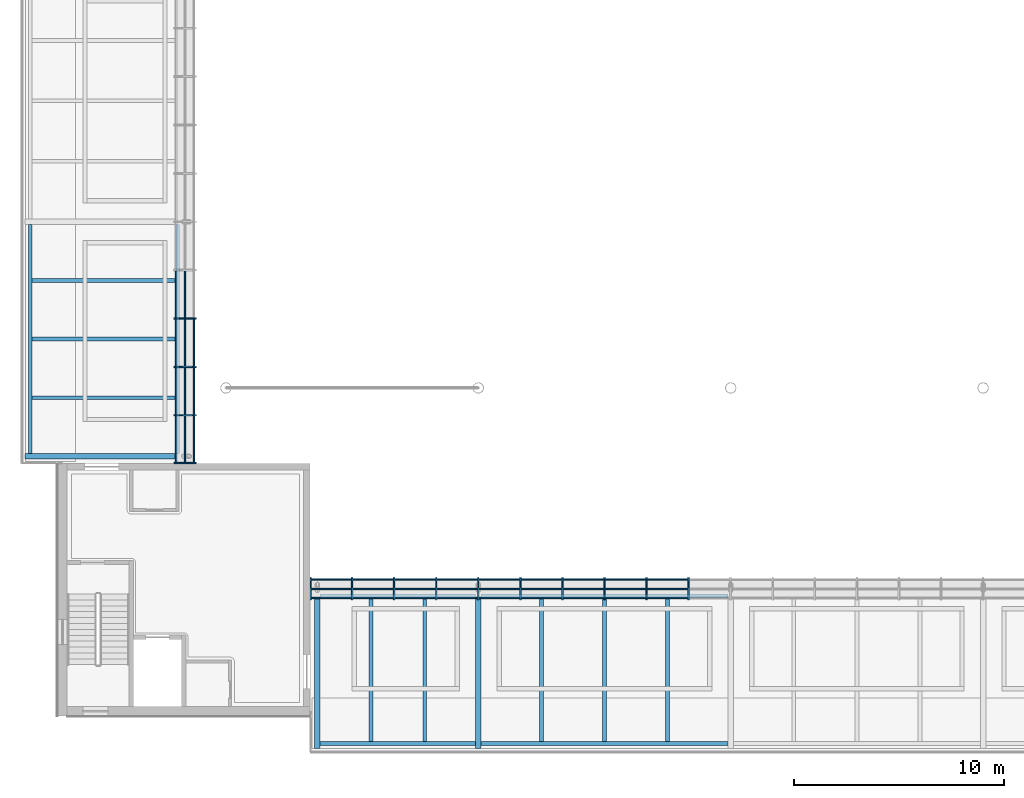
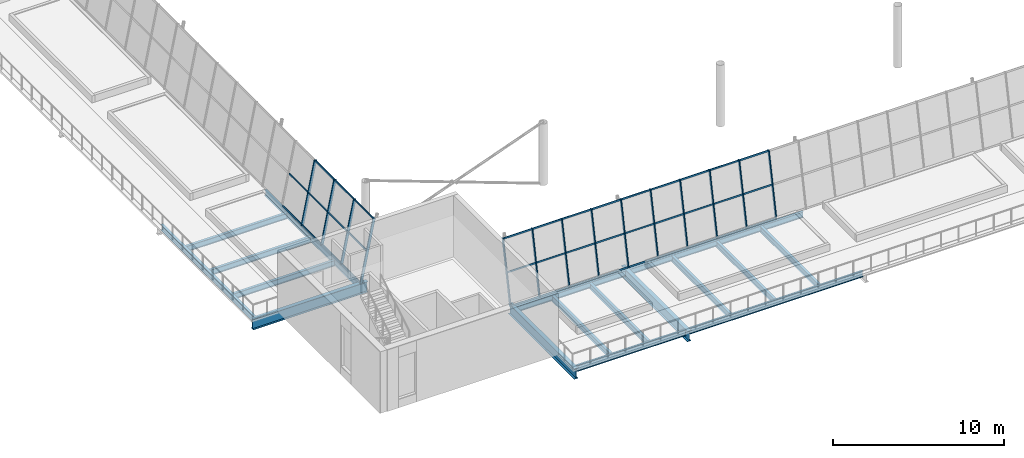
# One storey, part 10 of 58: 52 members, 17 beams, 2 elements without a shape of their own.
"""IFC4 building model written with IfcOpenShell, lengths in metres."""

from ifc_helpers import new_model, si_unit, direction, frame, origin, origin_2d, place, context, subcontext, project, spatial, rectangle, i_section, extrude, material, layer, layer_set, material_profile, profile_set, type_object, element, aggregate, save


model = new_model("IFC4")

# Units and contexts
model_context = context("Model", 3, precision=1e-05, world=origin(), true_north=direction((0.0, 1.0)))
body_context = subcontext(model_context, "Body", "Model", "MODEL_VIEW")
ifc_project = project(units=[si_unit("LENGTHUNIT", "METRE"), si_unit("AREAUNIT", "SQUARE_METRE"), si_unit("VOLUMEUNIT", "CUBIC_METRE"), si_unit("PLANEANGLEUNIT", "RADIAN"), si_unit("MASSUNIT", "GRAM", prefix="KILO")], contexts=[model_context])

# Site, building, storey
site_placement = place(None, origin())
site = spatial("IfcSite", under=ifc_project, at=site_placement, CompositionType="ELEMENT")
building_placement = place(site_placement, origin())
building = spatial("IfcBuilding", under=site, at=building_placement, Name="Windward Yard Aquatics Centre", CompositionType="ELEMENT")
storey_placement = place(building_placement, frame((0.0, 0.0, 13.800048828125)))
storey = spatial("IfcBuildingStorey", under=building, at=storey_placement, Name="L03", CompositionType="ELEMENT", Elevation=13.800048828125)

# Curtain wall, members
ifc_material_1 = material(Name="Glass and aluminium curtain wall", Category="aluminium")
ifc_layer = layer(ifc_material_1, 0.179931640625)
ifc_layer_set = layer_set([ifc_layer], Name="H curtain wall tier 2 double glazed 6+16+6")
curtain_wall_type = type_object("IfcCurtainWallType", Name="H curtain wall tier 2 double glazed 6+16+6", PredefinedType="NOTDEFINED", material=ifc_layer_set)
curtain_wall_1_placement = place(storey_placement, origin())
curtain_wall_1 = element("IfcCurtainWall", 1, at=curtain_wall_1_placement, inside=storey, type_object=curtain_wall_type, Name="Tier 2 glazing S L03", PredefinedType="NOTDEFINED")
ifc_material_2 = material(Name="Aluminium 6063-T6 anodised", Category="aluminium")
ifc_material_profile_1 = material_profile(ifc_material_2, rectangle(XDim=0.06494140625, YDim=0.179931640625, at=origin_2d()), Name="H CW mullion 65x180")
ifc_profile_set_1 = profile_set([ifc_material_profile_1], Name="Aluminium 6063-T6 anodised")
member_type_1 = type_object("IfcMemberType", Name="H CW mullion 65x180", PredefinedType="MULLION", material=ifc_profile_set_1)
member_1_placement = place(storey_placement, frame((64.032470703125, 31.61376953125, 0.017822265625), z_axis=(0.0, 0.199327811945, 0.979932866775), x_axis=(-1.0, 0.0, 0.0)))
member_1 = element("IfcMember", 2, at=member_1_placement, type_object=member_type_1, Name="G2SA mullion 1", PredefinedType="MULLION", context=body_context, shape_type="SweptSolid", body=[
    extrude(rectangle(XDim=0.06494140625, YDim=0.179931640625, at=origin_2d()), origin(), (0.0, 0.0, 1.0), 4.471923828125),
])
member_2_placement = place(storey_placement, frame((65.999755859375, 31.61376953125, 0.017822265625), z_axis=(0.0, 0.199327811945, 0.979932866775), x_axis=(-1.0, 0.0, 0.0)))
member_2 = element("IfcMember", 3, at=member_2_placement, type_object=member_type_1, Name="G2SA mullion 2", PredefinedType="MULLION", context=body_context, shape_type="SweptSolid", body=[
    extrude(rectangle(XDim=0.06494140625, YDim=0.179931640625, at=origin_2d()), origin(), (0.0, 0.0, 1.0), 4.471923828125),
])
member_3_placement = place(storey_placement, frame((67.99951171875, 31.61376953125, 0.017822265625), z_axis=(0.0, 0.199327811945, 0.979932866775), x_axis=(-1.0, 0.0, 0.0)))
member_3 = element("IfcMember", 4, at=member_3_placement, type_object=member_type_1, Name="G2SA mullion 3", PredefinedType="MULLION", context=body_context, shape_type="SweptSolid", body=[
    extrude(rectangle(XDim=0.06494140625, YDim=0.179931640625, at=origin_2d()), origin(), (0.0, 0.0, 1.0), 4.471923828125),
])
member_4_placement = place(storey_placement, frame((69.999267578125, 31.61376953125, 0.017822265625), z_axis=(0.0, 0.199327811945, 0.979932866775), x_axis=(-1.0, 0.0, 0.0)))
member_4 = element("IfcMember", 5, at=member_4_placement, type_object=member_type_1, Name="G2SA mullion 4", PredefinedType="MULLION", context=body_context, shape_type="SweptSolid", body=[
    extrude(rectangle(XDim=0.06494140625, YDim=0.179931640625, at=origin_2d()), origin(), (0.0, 0.0, 1.0), 4.471923828125),
])
member_5_placement = place(storey_placement, frame((71.9990234375, 31.61376953125, 0.017822265625), z_axis=(0.0, 0.199327811945, 0.979932866775), x_axis=(-1.0, 0.0, 0.0)))
member_5 = element("IfcMember", 6, at=member_5_placement, type_object=member_type_1, Name="G2SA mullion 5", PredefinedType="MULLION", context=body_context, shape_type="SweptSolid", body=[
    extrude(rectangle(XDim=0.06494140625, YDim=0.179931640625, at=origin_2d()), origin(), (0.0, 0.0, 1.0), 4.471923828125),
])
member_6_placement = place(storey_placement, frame((73.998779296875, 31.61376953125, 0.017822265625), z_axis=(0.0, 0.199327811945, 0.979932866775), x_axis=(-1.0, 0.0, 0.0)))
member_6 = element("IfcMember", 7, at=member_6_placement, type_object=member_type_1, Name="G2SA mullion 6", PredefinedType="MULLION", context=body_context, shape_type="SweptSolid", body=[
    extrude(rectangle(XDim=0.06494140625, YDim=0.179931640625, at=origin_2d()), origin(), (0.0, 0.0, 1.0), 4.471923828125),
])
member_7_placement = place(storey_placement, frame((75.99853515625, 31.61376953125, 0.017822265625), z_axis=(0.0, 0.199327811945, 0.979932866775), x_axis=(-1.0, 0.0, 0.0)))
member_7 = element("IfcMember", 8, at=member_7_placement, type_object=member_type_1, Name="G2SA mullion 7", PredefinedType="MULLION", context=body_context, shape_type="SweptSolid", body=[
    extrude(rectangle(XDim=0.06494140625, YDim=0.179931640625, at=origin_2d()), origin(), (0.0, 0.0, 1.0), 4.471923828125),
])
member_8_placement = place(storey_placement, frame((77.998046875, 31.61376953125, 0.017822265625), z_axis=(0.0, 0.199327811945, 0.979932866775), x_axis=(-1.0, 0.0, 0.0)))
member_8 = element("IfcMember", 9, at=member_8_placement, type_object=member_type_1, Name="G2SA mullion 8", PredefinedType="MULLION", context=body_context, shape_type="SweptSolid", body=[
    extrude(rectangle(XDim=0.06494140625, YDim=0.179931640625, at=origin_2d()), origin(), (0.0, 0.0, 1.0), 4.471923828125),
])
member_9_placement = place(storey_placement, frame((79.997802734375, 31.61376953125, 0.017822265625), z_axis=(0.0, 0.199327811945, 0.979932866775), x_axis=(-1.0, 0.0, 0.0)))
member_9 = element("IfcMember", 10, at=member_9_placement, type_object=member_type_1, Name="G2SA mullion 9", PredefinedType="MULLION", context=body_context, shape_type="SweptSolid", body=[
    extrude(rectangle(XDim=0.06494140625, YDim=0.179931640625, at=origin_2d()), origin(), (0.0, 0.0, 1.0), 4.471923828125),
])
member_10_placement = place(storey_placement, frame((81.99755859375, 31.61376953125, 0.017822265625), z_axis=(0.0, 0.199327811945, 0.979932866775), x_axis=(-1.0, 0.0, 0.0)))
member_10 = element("IfcMember", 11, at=member_10_placement, type_object=member_type_1, Name="G2SA mullion 10", PredefinedType="MULLION", context=body_context, shape_type="SweptSolid", body=[
    extrude(rectangle(XDim=0.06494140625, YDim=0.179931640625, at=origin_2d()), origin(), (0.0, 0.0, 1.0), 4.471923828125),
])

curtain_wall_2_placement = place(storey_placement, origin())
curtain_wall_2 = element("IfcCurtainWall", 12, at=curtain_wall_2_placement, inside=storey, type_object=curtain_wall_type, Name="Tier 2 glazing W L03", PredefinedType="NOTDEFINED")
member_11_placement = place(storey_placement, frame((57.61376953125, 38.032470703125, 0.017822265625), z_axis=(0.199327811945, 0.0, 0.979932866775), x_axis=(0.0, 1.0, 0.0)))
member_11 = element("IfcMember", 13, at=member_11_placement, type_object=member_type_1, Name="G2WA mullion 1", PredefinedType="MULLION", context=body_context, shape_type="SweptSolid", body=[
    extrude(rectangle(XDim=0.06494140625, YDim=0.179931640625, at=origin_2d()), origin(), (0.0, 0.0, 1.0), 4.471923828125),
])
member_12_placement = place(storey_placement, frame((57.61376953125, 40.300048828125, 0.017822265625), z_axis=(0.199327811945, 0.0, 0.979932866775), x_axis=(0.0, 1.0, 0.0)))
member_12 = element("IfcMember", 14, at=member_12_placement, type_object=member_type_1, Name="G2WA mullion 2", PredefinedType="MULLION", context=body_context, shape_type="SweptSolid", body=[
    extrude(rectangle(XDim=0.06494140625, YDim=0.179931640625, at=origin_2d()), origin(), (0.0, 0.0, 1.0), 4.471923828125),
])
member_13_placement = place(storey_placement, frame((57.61376953125, 42.60009765625, 0.017822265625), z_axis=(0.199327811945, 0.0, 0.979932866775), x_axis=(0.0, 1.0, 0.0)))
member_13 = element("IfcMember", 15, at=member_13_placement, type_object=member_type_1, Name="G2WA mullion 3", PredefinedType="MULLION", context=body_context, shape_type="SweptSolid", body=[
    extrude(rectangle(XDim=0.06494140625, YDim=0.179931640625, at=origin_2d()), origin(), (0.0, 0.0, 1.0), 4.471923828125),
])
member_14_placement = place(storey_placement, frame((57.61376953125, 44.89990234375, 0.017822265625), z_axis=(0.199327811945, 0.0, 0.979932866775), x_axis=(0.0, 1.0, 0.0)))
member_14 = element("IfcMember", 16, at=member_14_placement, type_object=member_type_1, Name="G2WA mullion 4", PredefinedType="MULLION", context=body_context, shape_type="SweptSolid", body=[
    extrude(rectangle(XDim=0.06494140625, YDim=0.179931640625, at=origin_2d()), origin(), (0.0, 0.0, 1.0), 4.471923828125),
])

# Member
ifc_material_profile_2 = material_profile(ifc_material_2, rectangle(XDim=0.06494140625, YDim=0.10009765625, at=origin_2d()), Name="H CW transom 65x100")
ifc_profile_set_2 = profile_set([ifc_material_profile_2], Name="Aluminium 6063-T6 anodised")
member_type_2 = type_object("IfcMemberType", Name="H CW transom 65x100", PredefinedType="USERDEFINED", material=ifc_profile_set_2)
member_15_placement = place(storey_placement, frame((64.06494140625, 31.621337890625, 0.055419921875), z_axis=(1.0, 0.0, 0.0), x_axis=(0.0, -0.979924704642, 0.199367934315)))
member_15 = element("IfcMember", 17, at=member_15_placement, type_object=member_type_2, Name="G2SA transom 1.1", ObjectType="TRANSOM", PredefinedType="USERDEFINED", context=body_context, shape_type="SweptSolid", body=[
    extrude(rectangle(XDim=0.06494140625, YDim=0.10009765625, at=origin_2d()), origin(), (0.0, 0.0, 1.0), 1.90234375),
])

member_16_placement = place(storey_placement, frame((64.06494140625, 32.0576171875, 2.199951171875), z_axis=(1.0, 0.0, 0.0), x_axis=(0.0, -0.979924704642, 0.199367934315)))
member_16 = element("IfcMember", 18, at=member_16_placement, type_object=member_type_2, Name="G2SA transom 1.2", ObjectType="TRANSOM", PredefinedType="USERDEFINED", context=body_context, shape_type="SweptSolid", body=[
    extrude(rectangle(XDim=0.06494140625, YDim=0.10009765625, at=origin_2d()), origin(), (0.0, 0.0, 1.0), 1.90234375),
])

member_17_placement = place(storey_placement, frame((64.06494140625, 32.4951171875, 4.35107421875), z_axis=(1.0, 0.0, 0.0), x_axis=(0.0, -0.979924704642, 0.199367934315)))
member_17 = element("IfcMember", 19, at=member_17_placement, type_object=member_type_2, Name="G2SA transom 1.3", ObjectType="TRANSOM", PredefinedType="USERDEFINED", context=body_context, shape_type="SweptSolid", body=[
    extrude(rectangle(XDim=0.06494140625, YDim=0.10009765625, at=origin_2d()), origin(), (0.0, 0.0, 1.0), 1.90234375),
])

member_18_placement = place(storey_placement, frame((66.0322265625, 31.621337890625, 0.055419921875), z_axis=(1.0, 0.0, 0.0), x_axis=(0.0, -0.979924704642, 0.199367934315)))
member_18 = element("IfcMember", 20, at=member_18_placement, type_object=member_type_2, Name="G2SA transom 2.1", ObjectType="TRANSOM", PredefinedType="USERDEFINED", context=body_context, shape_type="SweptSolid", body=[
    extrude(rectangle(XDim=0.06494140625, YDim=0.10009765625, at=origin_2d()), origin(), (0.0, 0.0, 1.0), 1.934814453125),
])

member_19_placement = place(storey_placement, frame((66.0322265625, 32.0576171875, 2.199951171875), z_axis=(1.0, 0.0, 0.0), x_axis=(0.0, -0.979924704642, 0.199367934315)))
member_19 = element("IfcMember", 21, at=member_19_placement, type_object=member_type_2, Name="G2SA transom 2.2", ObjectType="TRANSOM", PredefinedType="USERDEFINED", context=body_context, shape_type="SweptSolid", body=[
    extrude(rectangle(XDim=0.06494140625, YDim=0.10009765625, at=origin_2d()), origin(), (0.0, 0.0, 1.0), 1.934814453125),
])

member_20_placement = place(storey_placement, frame((66.0322265625, 32.4951171875, 4.35107421875), z_axis=(1.0, 0.0, 0.0), x_axis=(0.0, -0.979924704642, 0.199367934315)))
member_20 = element("IfcMember", 22, at=member_20_placement, type_object=member_type_2, Name="G2SA transom 2.3", ObjectType="TRANSOM", PredefinedType="USERDEFINED", context=body_context, shape_type="SweptSolid", body=[
    extrude(rectangle(XDim=0.06494140625, YDim=0.10009765625, at=origin_2d()), origin(), (0.0, 0.0, 1.0), 1.934814453125),
])

member_21_placement = place(storey_placement, frame((68.031982421875, 31.621337890625, 0.055419921875), z_axis=(1.0, 0.0, 0.0), x_axis=(0.0, -0.979924704642, 0.199367934315)))
member_21 = element("IfcMember", 23, at=member_21_placement, type_object=member_type_2, Name="G2SA transom 3.1", ObjectType="TRANSOM", PredefinedType="USERDEFINED", context=body_context, shape_type="SweptSolid", body=[
    extrude(rectangle(XDim=0.06494140625, YDim=0.10009765625, at=origin_2d()), origin(), (0.0, 0.0, 1.0), 1.934814453125),
])

member_22_placement = place(storey_placement, frame((68.031982421875, 32.0576171875, 2.199951171875), z_axis=(1.0, 0.0, 0.0), x_axis=(0.0, -0.979924704642, 0.199367934315)))
member_22 = element("IfcMember", 24, at=member_22_placement, type_object=member_type_2, Name="G2SA transom 3.2", ObjectType="TRANSOM", PredefinedType="USERDEFINED", context=body_context, shape_type="SweptSolid", body=[
    extrude(rectangle(XDim=0.06494140625, YDim=0.10009765625, at=origin_2d()), origin(), (0.0, 0.0, 1.0), 1.934814453125),
])

member_23_placement = place(storey_placement, frame((68.031982421875, 32.4951171875, 4.35107421875), z_axis=(1.0, 0.0, 0.0), x_axis=(0.0, -0.979924704642, 0.199367934315)))
member_23 = element("IfcMember", 25, at=member_23_placement, type_object=member_type_2, Name="G2SA transom 3.3", ObjectType="TRANSOM", PredefinedType="USERDEFINED", context=body_context, shape_type="SweptSolid", body=[
    extrude(rectangle(XDim=0.06494140625, YDim=0.10009765625, at=origin_2d()), origin(), (0.0, 0.0, 1.0), 1.934814453125),
])

member_24_placement = place(storey_placement, frame((70.03173828125, 31.621337890625, 0.055419921875), z_axis=(1.0, 0.0, 0.0), x_axis=(0.0, -0.979924704642, 0.199367934315)))
member_24 = element("IfcMember", 26, at=member_24_placement, type_object=member_type_2, Name="G2SA transom 4.1", ObjectType="TRANSOM", PredefinedType="USERDEFINED", context=body_context, shape_type="SweptSolid", body=[
    extrude(rectangle(XDim=0.06494140625, YDim=0.10009765625, at=origin_2d()), origin(), (0.0, 0.0, 1.0), 1.934814453125),
])

member_25_placement = place(storey_placement, frame((70.03173828125, 32.0576171875, 2.199951171875), z_axis=(1.0, 0.0, 0.0), x_axis=(0.0, -0.979924704642, 0.199367934315)))
member_25 = element("IfcMember", 27, at=member_25_placement, type_object=member_type_2, Name="G2SA transom 4.2", ObjectType="TRANSOM", PredefinedType="USERDEFINED", context=body_context, shape_type="SweptSolid", body=[
    extrude(rectangle(XDim=0.06494140625, YDim=0.10009765625, at=origin_2d()), origin(), (0.0, 0.0, 1.0), 1.934814453125),
])

member_26_placement = place(storey_placement, frame((70.03173828125, 32.4951171875, 4.35107421875), z_axis=(1.0, 0.0, 0.0), x_axis=(0.0, -0.979924704642, 0.199367934315)))
member_26 = element("IfcMember", 28, at=member_26_placement, type_object=member_type_2, Name="G2SA transom 4.3", ObjectType="TRANSOM", PredefinedType="USERDEFINED", context=body_context, shape_type="SweptSolid", body=[
    extrude(rectangle(XDim=0.06494140625, YDim=0.10009765625, at=origin_2d()), origin(), (0.0, 0.0, 1.0), 1.934814453125),
])

member_27_placement = place(storey_placement, frame((72.031494140625, 31.621337890625, 0.055419921875), z_axis=(1.0, 0.0, 0.0), x_axis=(0.0, -0.979924704642, 0.199367934315)))
member_27 = element("IfcMember", 29, at=member_27_placement, type_object=member_type_2, Name="G2SA transom 5.1", ObjectType="TRANSOM", PredefinedType="USERDEFINED", context=body_context, shape_type="SweptSolid", body=[
    extrude(rectangle(XDim=0.06494140625, YDim=0.10009765625, at=origin_2d()), origin(), (0.0, 0.0, 1.0), 1.9345703125),
])

member_28_placement = place(storey_placement, frame((72.031494140625, 32.0576171875, 2.199951171875), z_axis=(1.0, 0.0, 0.0), x_axis=(0.0, -0.979924704642, 0.199367934315)))
member_28 = element("IfcMember", 30, at=member_28_placement, type_object=member_type_2, Name="G2SA transom 5.2", ObjectType="TRANSOM", PredefinedType="USERDEFINED", context=body_context, shape_type="SweptSolid", body=[
    extrude(rectangle(XDim=0.06494140625, YDim=0.10009765625, at=origin_2d()), origin(), (0.0, 0.0, 1.0), 1.9345703125),
])

member_29_placement = place(storey_placement, frame((72.031494140625, 32.4951171875, 4.35107421875), z_axis=(1.0, 0.0, 0.0), x_axis=(0.0, -0.979924704642, 0.199367934315)))
member_29 = element("IfcMember", 31, at=member_29_placement, type_object=member_type_2, Name="G2SA transom 5.3", ObjectType="TRANSOM", PredefinedType="USERDEFINED", context=body_context, shape_type="SweptSolid", body=[
    extrude(rectangle(XDim=0.06494140625, YDim=0.10009765625, at=origin_2d()), origin(), (0.0, 0.0, 1.0), 1.9345703125),
])

member_30_placement = place(storey_placement, frame((74.03125, 31.621337890625, 0.055419921875), z_axis=(1.0, 0.0, 0.0), x_axis=(0.0, -0.979924704642, 0.199367934315)))
member_30 = element("IfcMember", 32, at=member_30_placement, type_object=member_type_2, Name="G2SA transom 6.1", ObjectType="TRANSOM", PredefinedType="USERDEFINED", context=body_context, shape_type="SweptSolid", body=[
    extrude(rectangle(XDim=0.06494140625, YDim=0.10009765625, at=origin_2d()), origin(), (0.0, 0.0, 1.0), 1.9345703125),
])

member_31_placement = place(storey_placement, frame((74.03125, 32.0576171875, 2.199951171875), z_axis=(1.0, 0.0, 0.0), x_axis=(0.0, -0.979924704642, 0.199367934315)))
member_31 = element("IfcMember", 33, at=member_31_placement, type_object=member_type_2, Name="G2SA transom 6.2", ObjectType="TRANSOM", PredefinedType="USERDEFINED", context=body_context, shape_type="SweptSolid", body=[
    extrude(rectangle(XDim=0.06494140625, YDim=0.10009765625, at=origin_2d()), origin(), (0.0, 0.0, 1.0), 1.9345703125),
])

member_32_placement = place(storey_placement, frame((74.03125, 32.4951171875, 4.35107421875), z_axis=(1.0, 0.0, 0.0), x_axis=(0.0, -0.979924704642, 0.199367934315)))
member_32 = element("IfcMember", 34, at=member_32_placement, type_object=member_type_2, Name="G2SA transom 6.3", ObjectType="TRANSOM", PredefinedType="USERDEFINED", context=body_context, shape_type="SweptSolid", body=[
    extrude(rectangle(XDim=0.06494140625, YDim=0.10009765625, at=origin_2d()), origin(), (0.0, 0.0, 1.0), 1.9345703125),
])

member_33_placement = place(storey_placement, frame((76.031005859375, 31.621337890625, 0.055419921875), z_axis=(1.0, 0.0, 0.0), x_axis=(0.0, -0.979924704642, 0.199367934315)))
member_33 = element("IfcMember", 35, at=member_33_placement, type_object=member_type_2, Name="G2SA transom 7.1", ObjectType="TRANSOM", PredefinedType="USERDEFINED", context=body_context, shape_type="SweptSolid", body=[
    extrude(rectangle(XDim=0.06494140625, YDim=0.10009765625, at=origin_2d()), origin(), (0.0, 0.0, 1.0), 1.9345703125),
])

member_34_placement = place(storey_placement, frame((76.031005859375, 32.0576171875, 2.199951171875), z_axis=(1.0, 0.0, 0.0), x_axis=(0.0, -0.979924704642, 0.199367934315)))
member_34 = element("IfcMember", 36, at=member_34_placement, type_object=member_type_2, Name="G2SA transom 7.2", ObjectType="TRANSOM", PredefinedType="USERDEFINED", context=body_context, shape_type="SweptSolid", body=[
    extrude(rectangle(XDim=0.06494140625, YDim=0.10009765625, at=origin_2d()), origin(), (0.0, 0.0, 1.0), 1.9345703125),
])

member_35_placement = place(storey_placement, frame((76.031005859375, 32.4951171875, 4.35107421875), z_axis=(1.0, 0.0, 0.0), x_axis=(0.0, -0.979924704642, 0.199367934315)))
member_35 = element("IfcMember", 37, at=member_35_placement, type_object=member_type_2, Name="G2SA transom 7.3", ObjectType="TRANSOM", PredefinedType="USERDEFINED", context=body_context, shape_type="SweptSolid", body=[
    extrude(rectangle(XDim=0.06494140625, YDim=0.10009765625, at=origin_2d()), origin(), (0.0, 0.0, 1.0), 1.9345703125),
])

member_36_placement = place(storey_placement, frame((78.03076171875, 31.621337890625, 0.055419921875), z_axis=(1.0, 0.0, 0.0), x_axis=(0.0, -0.979924704642, 0.199367934315)))
member_36 = element("IfcMember", 38, at=member_36_placement, type_object=member_type_2, Name="G2SA transom 8.1", ObjectType="TRANSOM", PredefinedType="USERDEFINED", context=body_context, shape_type="SweptSolid", body=[
    extrude(rectangle(XDim=0.06494140625, YDim=0.10009765625, at=origin_2d()), origin(), (0.0, 0.0, 1.0), 1.9345703125),
])

member_37_placement = place(storey_placement, frame((78.03076171875, 32.0576171875, 2.199951171875), z_axis=(1.0, 0.0, 0.0), x_axis=(0.0, -0.979924704642, 0.199367934315)))
member_37 = element("IfcMember", 39, at=member_37_placement, type_object=member_type_2, Name="G2SA transom 8.2", ObjectType="TRANSOM", PredefinedType="USERDEFINED", context=body_context, shape_type="SweptSolid", body=[
    extrude(rectangle(XDim=0.06494140625, YDim=0.10009765625, at=origin_2d()), origin(), (0.0, 0.0, 1.0), 1.9345703125),
])

member_38_placement = place(storey_placement, frame((78.03076171875, 32.4951171875, 4.35107421875), z_axis=(1.0, 0.0, 0.0), x_axis=(0.0, -0.979924704642, 0.199367934315)))
member_38 = element("IfcMember", 40, at=member_38_placement, type_object=member_type_2, Name="G2SA transom 8.3", ObjectType="TRANSOM", PredefinedType="USERDEFINED", context=body_context, shape_type="SweptSolid", body=[
    extrude(rectangle(XDim=0.06494140625, YDim=0.10009765625, at=origin_2d()), origin(), (0.0, 0.0, 1.0), 1.9345703125),
])

member_39_placement = place(storey_placement, frame((80.0302734375, 31.621337890625, 0.055419921875), z_axis=(1.0, 0.0, 0.0), x_axis=(0.0, -0.979924704642, 0.199367934315)))
member_39 = element("IfcMember", 41, at=member_39_placement, type_object=member_type_2, Name="G2SA transom 9.1", ObjectType="TRANSOM", PredefinedType="USERDEFINED", context=body_context, shape_type="SweptSolid", body=[
    extrude(rectangle(XDim=0.06494140625, YDim=0.10009765625, at=origin_2d()), origin(), (0.0, 0.0, 1.0), 1.934814453125),
])

member_40_placement = place(storey_placement, frame((80.0302734375, 32.0576171875, 2.199951171875), z_axis=(1.0, 0.0, 0.0), x_axis=(0.0, -0.979924704642, 0.199367934315)))
member_40 = element("IfcMember", 42, at=member_40_placement, type_object=member_type_2, Name="G2SA transom 9.2", ObjectType="TRANSOM", PredefinedType="USERDEFINED", context=body_context, shape_type="SweptSolid", body=[
    extrude(rectangle(XDim=0.06494140625, YDim=0.10009765625, at=origin_2d()), origin(), (0.0, 0.0, 1.0), 1.934814453125),
])

member_41_placement = place(storey_placement, frame((80.0302734375, 32.4951171875, 4.35107421875), z_axis=(1.0, 0.0, 0.0), x_axis=(0.0, -0.979924704642, 0.199367934315)))
member_41 = element("IfcMember", 43, at=member_41_placement, type_object=member_type_2, Name="G2SA transom 9.3", ObjectType="TRANSOM", PredefinedType="USERDEFINED", context=body_context, shape_type="SweptSolid", body=[
    extrude(rectangle(XDim=0.06494140625, YDim=0.10009765625, at=origin_2d()), origin(), (0.0, 0.0, 1.0), 1.934814453125),
])

aggregate(curtain_wall_1, [member_1, member_2, member_3, member_4, member_5, member_6, member_7, member_8, member_9, member_10, member_15, member_16, member_17, member_18, member_19, member_20, member_21, member_22, member_23, member_24, member_25, member_26, member_27, member_28, member_29, member_30, member_31, member_32, member_33, member_34, member_35, member_36, member_37, member_38, member_39, member_40, member_41])

member_42_placement = place(storey_placement, frame((57.621337890625, 38.06494140625, 0.055419921875), z_axis=(0.0, 1.0, 0.0), x_axis=(-0.979924704642, 0.0, 0.199367934315)))
member_42 = element("IfcMember", 44, at=member_42_placement, type_object=member_type_2, Name="G2WA transom 1.1", ObjectType="TRANSOM", PredefinedType="USERDEFINED", context=body_context, shape_type="SweptSolid", body=[
    extrude(rectangle(XDim=0.06494140625, YDim=0.10009765625, at=origin_2d()), origin(), (0.0, 0.0, 1.0), 2.20263671875),
])

member_43_placement = place(storey_placement, frame((58.0576171875, 38.06494140625, 2.199951171875), z_axis=(0.0, 1.0, 0.0), x_axis=(-0.979924704642, 0.0, 0.199367934315)))
member_43 = element("IfcMember", 45, at=member_43_placement, type_object=member_type_2, Name="G2WA transom 1.2", ObjectType="TRANSOM", PredefinedType="USERDEFINED", context=body_context, shape_type="SweptSolid", body=[
    extrude(rectangle(XDim=0.06494140625, YDim=0.10009765625, at=origin_2d()), origin(), (0.0, 0.0, 1.0), 2.20263671875),
])

member_44_placement = place(storey_placement, frame((58.4951171875, 38.06494140625, 4.35107421875), z_axis=(0.0, 1.0, 0.0), x_axis=(-0.979924704642, 0.0, 0.199367934315)))
member_44 = element("IfcMember", 46, at=member_44_placement, type_object=member_type_2, Name="G2WA transom 1.3", ObjectType="TRANSOM", PredefinedType="USERDEFINED", context=body_context, shape_type="SweptSolid", body=[
    extrude(rectangle(XDim=0.06494140625, YDim=0.10009765625, at=origin_2d()), origin(), (0.0, 0.0, 1.0), 2.20263671875),
])

member_45_placement = place(storey_placement, frame((57.621337890625, 40.33251953125, 0.055419921875), z_axis=(0.0, 1.0, 0.0), x_axis=(-0.979924704642, 0.0, 0.199367934315)))
member_45 = element("IfcMember", 47, at=member_45_placement, type_object=member_type_2, Name="G2WA transom 2.1", ObjectType="TRANSOM", PredefinedType="USERDEFINED", context=body_context, shape_type="SweptSolid", body=[
    extrude(rectangle(XDim=0.06494140625, YDim=0.10009765625, at=origin_2d()), origin(), (0.0, 0.0, 1.0), 2.23486328125),
])

member_46_placement = place(storey_placement, frame((58.0576171875, 40.33251953125, 2.199951171875), z_axis=(0.0, 1.0, 0.0), x_axis=(-0.979924704642, 0.0, 0.199367934315)))
member_46 = element("IfcMember", 48, at=member_46_placement, type_object=member_type_2, Name="G2WA transom 2.2", ObjectType="TRANSOM", PredefinedType="USERDEFINED", context=body_context, shape_type="SweptSolid", body=[
    extrude(rectangle(XDim=0.06494140625, YDim=0.10009765625, at=origin_2d()), origin(), (0.0, 0.0, 1.0), 2.23486328125),
])

member_47_placement = place(storey_placement, frame((58.4951171875, 40.33251953125, 4.35107421875), z_axis=(0.0, 1.0, 0.0), x_axis=(-0.979924704642, 0.0, 0.199367934315)))
member_47 = element("IfcMember", 49, at=member_47_placement, type_object=member_type_2, Name="G2WA transom 2.3", ObjectType="TRANSOM", PredefinedType="USERDEFINED", context=body_context, shape_type="SweptSolid", body=[
    extrude(rectangle(XDim=0.06494140625, YDim=0.10009765625, at=origin_2d()), origin(), (0.0, 0.0, 1.0), 2.23486328125),
])

member_48_placement = place(storey_placement, frame((57.621337890625, 42.632568359375, 0.055419921875), z_axis=(0.0, 1.0, 0.0), x_axis=(-0.979924704642, 0.0, 0.199367934315)))
member_48 = element("IfcMember", 50, at=member_48_placement, type_object=member_type_2, Name="G2WA transom 3.1", ObjectType="TRANSOM", PredefinedType="USERDEFINED", context=body_context, shape_type="SweptSolid", body=[
    extrude(rectangle(XDim=0.06494140625, YDim=0.10009765625, at=origin_2d()), origin(), (0.0, 0.0, 1.0), 2.23486328125),
])

member_49_placement = place(storey_placement, frame((58.0576171875, 42.632568359375, 2.199951171875), z_axis=(0.0, 1.0, 0.0), x_axis=(-0.979924704642, 0.0, 0.199367934315)))
member_49 = element("IfcMember", 51, at=member_49_placement, type_object=member_type_2, Name="G2WA transom 3.2", ObjectType="TRANSOM", PredefinedType="USERDEFINED", context=body_context, shape_type="SweptSolid", body=[
    extrude(rectangle(XDim=0.06494140625, YDim=0.10009765625, at=origin_2d()), origin(), (0.0, 0.0, 1.0), 2.23486328125),
])

member_50_placement = place(storey_placement, frame((58.4951171875, 42.632568359375, 4.35107421875), z_axis=(0.0, 1.0, 0.0), x_axis=(-0.979924704642, 0.0, 0.199367934315)))
member_50 = element("IfcMember", 52, at=member_50_placement, type_object=member_type_2, Name="G2WA transom 3.3", ObjectType="TRANSOM", PredefinedType="USERDEFINED", context=body_context, shape_type="SweptSolid", body=[
    extrude(rectangle(XDim=0.06494140625, YDim=0.10009765625, at=origin_2d()), origin(), (0.0, 0.0, 1.0), 2.23486328125),
])

member_51_placement = place(storey_placement, frame((57.621337890625, 44.9326171875, 0.055419921875), z_axis=(0.0, 1.0, 0.0), x_axis=(-0.979924704642, 0.0, 0.199367934315)))
member_51 = element("IfcMember", 53, at=member_51_placement, type_object=member_type_2, Name="G2WA transom 4.1", ObjectType="TRANSOM", PredefinedType="USERDEFINED", context=body_context, shape_type="SweptSolid", body=[
    extrude(rectangle(XDim=0.06494140625, YDim=0.10009765625, at=origin_2d()), origin(), (0.0, 0.0, 1.0), 2.23486328125),
])

member_52_placement = place(storey_placement, frame((58.0576171875, 44.9326171875, 2.199951171875), z_axis=(0.0, 1.0, 0.0), x_axis=(-0.979924704642, 0.0, 0.199367934315)))
member_52 = element("IfcMember", 54, at=member_52_placement, type_object=member_type_2, Name="G2WA transom 4.2", ObjectType="TRANSOM", PredefinedType="USERDEFINED", context=body_context, shape_type="SweptSolid", body=[
    extrude(rectangle(XDim=0.06494140625, YDim=0.10009765625, at=origin_2d()), origin(), (0.0, 0.0, 1.0), 2.23486328125),
])

aggregate(curtain_wall_2, [member_11, member_12, member_13, member_14, member_42, member_43, member_44, member_45, member_46, member_47, member_48, member_49, member_50, member_51, member_52])

# Beams
ifc_material_3 = material(Name="Steel ASTM A992 Gr 50", Category="steel")
ifc_material_profile_3 = material_profile(ifc_material_3, i_section(OverallWidth=0.177978515625, OverallDepth=0.406005859375, WebThickness=0.0078125, FlangeThickness=0.0126953125, at=origin_2d()), Name="W410X60")
ifc_profile_set_3 = profile_set([ifc_material_profile_3], Name="Steel ASTM A992 Gr 50")
beam_type_1 = type_object("IfcBeamType", Name="H terrace secondary beam W410X60", PredefinedType="BEAM", material=ifc_profile_set_3)
for number, where, z_axis, x_axis, name in (
    (55, (64.4833984375, 24.698974609375, -0.35302734375), (1.0, 0.0, 0.0), (0.0, 1.0, 0.0), "H.T1E.S1.O"),
    (56, (64.4833984375, 31.709716796875, -0.35302734375), (1.0, 0.0, 0.0), (0.0, 1.0, 0.0), "H.T1E.S1.I"),
):
    element("IfcBeam", number, at=place(storey_placement, frame(where, z_axis=z_axis, x_axis=x_axis)), inside=storey, type_object=beam_type_1, Name=name, PredefinedType="BEAM", context=body_context, shape_type="SweptSolid", body=[
        extrude(i_section(OverallWidth=0.177978515625, OverallDepth=0.406005859375, WebThickness=0.0078125, FlangeThickness=0.0126953125, at=origin_2d()), origin(), (0.0, 0.0, 1.0), 7.383056640625),
    ])
for number, where, z_axis, x_axis, name in (
    (57, (66.89990234375, 24.7880859375, -0.35302734375), (0.0, 1.0, 0.0), (-1.0, 0.0, 0.0), "H.T1S.S1.1"),
    (58, (69.449951171875, 24.7880859375, -0.35302734375), (0.0, 1.0, 0.0), (-1.0, 0.0, 0.0), "H.T1S.S1.2"),
):
    element("IfcBeam", number, at=place(storey_placement, frame(where, z_axis=z_axis, x_axis=x_axis)), inside=storey, type_object=beam_type_1, Name=name, PredefinedType="BEAM", context=body_context, shape_type="SweptSolid", body=[
        extrude(i_section(OverallWidth=0.177978515625, OverallDepth=0.406005859375, WebThickness=0.0078125, FlangeThickness=0.0126953125, at=origin_2d()), origin(), (0.0, 0.0, 1.0), 6.83251953125),
    ])
for number, where, z_axis, x_axis, name in (
    (59, (72.133544921875, 24.698974609375, -0.35302734375), (1.0, 0.0, 0.0), (0.0, 1.0, 0.0), "H.T1E.S2.O"),
    (60, (72.133544921875, 31.709716796875, -0.35302734375), (1.0, 0.0, 0.0), (0.0, 1.0, 0.0), "H.T1E.S2.I"),
):
    element("IfcBeam", number, at=place(storey_placement, frame(where, z_axis=z_axis, x_axis=x_axis)), inside=storey, type_object=beam_type_1, Name=name, PredefinedType="BEAM", context=body_context, shape_type="SweptSolid", body=[
        extrude(i_section(OverallWidth=0.177978515625, OverallDepth=0.406005859375, WebThickness=0.0078125, FlangeThickness=0.0126953125, at=origin_2d()), origin(), (0.0, 0.0, 1.0), 11.73291015625),
    ])
for number, where, z_axis, x_axis, name in (
    (61, (75.0, 24.7880859375, -0.35302734375), (0.0, 1.0, 0.0), (-1.0, 0.0, 0.0), "H.T1S.S2.1"),
    (62, (78.0, 24.7880859375, -0.35302734375), (0.0, 1.0, 0.0), (-1.0, 0.0, 0.0), "H.T1S.S2.2"),
    (63, (81.0, 24.7880859375, -0.35302734375), (0.0, 1.0, 0.0), (-1.0, 0.0, 0.0), "H.T1S.S2.3"),
):
    element("IfcBeam", number, at=place(storey_placement, frame(where, z_axis=z_axis, x_axis=x_axis)), inside=storey, type_object=beam_type_1, Name=name, PredefinedType="BEAM", context=body_context, shape_type="SweptSolid", body=[
        extrude(i_section(OverallWidth=0.177978515625, OverallDepth=0.406005859375, WebThickness=0.0078125, FlangeThickness=0.0126953125, at=origin_2d()), origin(), (0.0, 0.0, 1.0), 6.83251953125),
    ])
for number, where, z_axis, x_axis, name in (
    (64, (50.698974609375, 38.4833984375, -0.35302734375), (0.0, 1.0, 0.0), (-1.0, 0.0, 0.0), "H.T1E.W1.O"),
    (65, (57.709716796875, 38.4833984375, -0.35302734375), (0.0, 1.0, 0.0), (-1.0, 0.0, 0.0), "H.T1E.W1.I"),
):
    element("IfcBeam", number, at=place(storey_placement, frame(where, z_axis=z_axis, x_axis=x_axis)), inside=storey, type_object=beam_type_1, Name=name, PredefinedType="BEAM", context=body_context, shape_type="SweptSolid", body=[
        extrude(i_section(OverallWidth=0.177978515625, OverallDepth=0.406005859375, WebThickness=0.0078125, FlangeThickness=0.0126953125, at=origin_2d()), origin(), (0.0, 0.0, 1.0), 10.883056640625),
    ])
for number, where, z_axis, x_axis, name in (
    (66, (50.7880859375, 41.137451171875, -0.35302734375), (1.0, 0.0, 0.0), (0.0, 1.0, 0.0), "H.T1S.W1.1"),
    (67, (50.7880859375, 43.925048828125, -0.35302734375), (1.0, 0.0, 0.0), (0.0, 1.0, 0.0), "H.T1S.W1.2"),
    (68, (50.7880859375, 46.71240234375, -0.35302734375), (1.0, 0.0, 0.0), (0.0, 1.0, 0.0), "H.T1S.W1.3"),
):
    element("IfcBeam", number, at=place(storey_placement, frame(where, z_axis=z_axis, x_axis=x_axis)), inside=storey, type_object=beam_type_1, Name=name, PredefinedType="BEAM", context=body_context, shape_type="SweptSolid", body=[
        extrude(i_section(OverallWidth=0.177978515625, OverallDepth=0.406005859375, WebThickness=0.0078125, FlangeThickness=0.0126953125, at=origin_2d()), origin(), (0.0, 0.0, 1.0), 6.83251953125),
    ])
ifc_material_profile_4 = material_profile(ifc_material_3, i_section(OverallWidth=0.26708984375, OverallDepth=0.75390625, WebThickness=0.01318359375, FlangeThickness=0.01708984375, at=origin_2d()), Name="W760X147")
ifc_profile_set_4 = profile_set([ifc_material_profile_4], Name="Steel ASTM A992 Gr 50")
beam_type_2 = type_object("IfcBeamType", Name="H terrace transfer girder W760X147", PredefinedType="BEAM", material=ifc_profile_set_4)
for number, where, z_axis, x_axis, name in (
    (69, (64.35009765625, 24.448974609375, -0.527099609375), (0.0, 1.0, 0.0), (-1.0, 0.0, 0.0), "H.T1B.S1"),
    (70, (72.0, 24.448974609375, -0.527099609375), (0.0, 1.0, 0.0), (-1.0, 0.0, 0.0), "H.T1B.S2"),
    (71, (50.448974609375, 38.35009765625, -0.527099609375), (1.0, 0.0, 0.0), (0.0, 1.0, 0.0), "H.T1B.W1"),
):
    element("IfcBeam", number, at=place(storey_placement, frame(where, z_axis=z_axis, x_axis=x_axis)), inside=storey, type_object=beam_type_2, Name=name, PredefinedType="BEAM", context=body_context, shape_type="SweptSolid", body=[
        extrude(i_section(OverallWidth=0.26708984375, OverallDepth=0.75390625, WebThickness=0.01318359375, FlangeThickness=0.01708984375, at=origin_2d()), origin(), (0.0, 0.0, 1.0), 7.766357421875),
    ])

save(model, "model.ifc")
